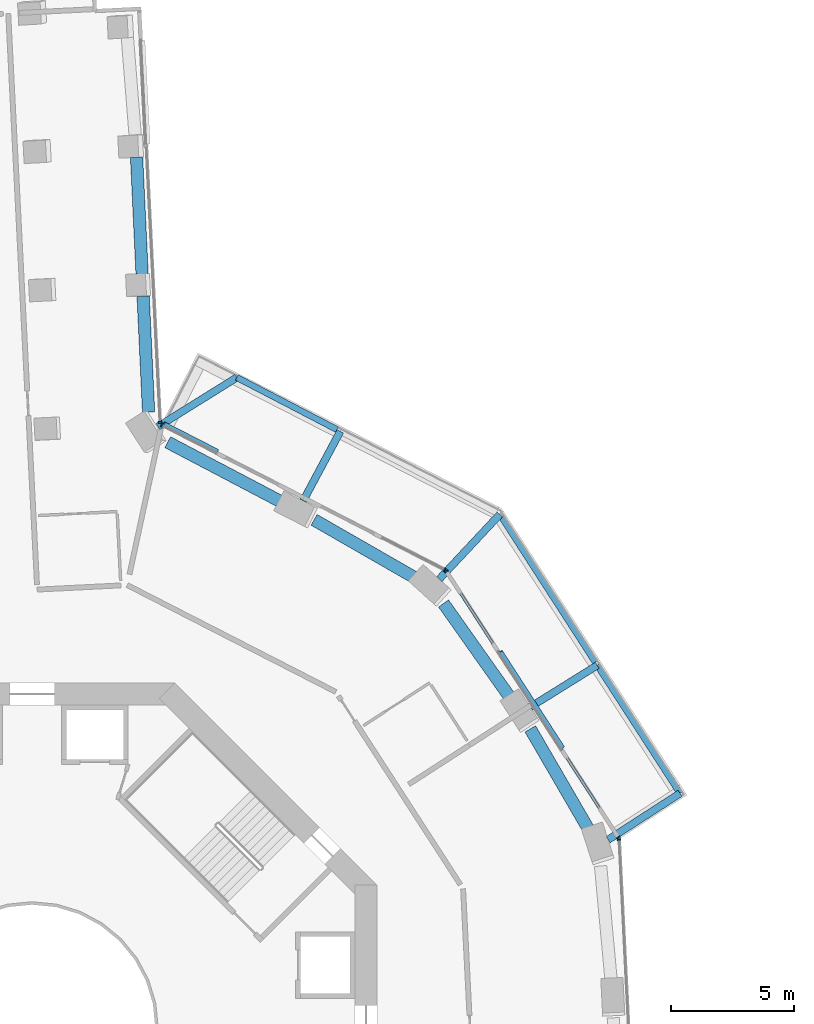
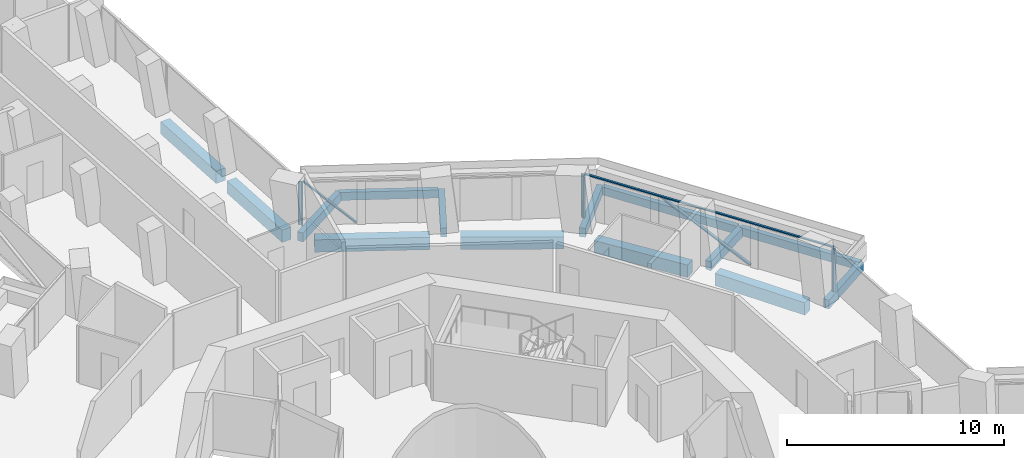
# One storey, part 9 of 25: 14 beams, 9 members, 4 elements without a shape of their own.
"""IFC4 building model written with IfcOpenShell, lengths in metres."""

from ifc_helpers import new_model, si_unit, direction, frame, origin, origin_2d, place, context, subcontext, project, spatial, rectangle, extrude, material, layer, layer_set, material_profile, profile_set, type_object, element, aggregate, save


model = new_model("IFC4")

# Units and contexts
model_context = context("Model", 3, precision=1e-05, world=origin(), true_north=direction((0.0, 1.0)))
body_context = subcontext(model_context, "Body", "Model", "MODEL_VIEW")
ifc_project = project(units=[si_unit("LENGTHUNIT", "METRE"), si_unit("AREAUNIT", "SQUARE_METRE"), si_unit("VOLUMEUNIT", "CUBIC_METRE"), si_unit("PLANEANGLEUNIT", "RADIAN"), si_unit("MASSUNIT", "GRAM", prefix="KILO")], contexts=[model_context])

# Site, building, storey
site_placement = place(None, origin())
site = spatial("IfcSite", under=ifc_project, at=site_placement, CompositionType="ELEMENT")
building_placement = place(site_placement, origin())
building = spatial("IfcBuilding", under=site, at=building_placement, Name="Verdalira Terraces Hotel", CompositionType="ELEMENT")
storey_placement = place(building_placement, frame((0.0, 0.0, 46.0)))
storey = spatial("IfcBuildingStorey", under=building, at=storey_placement, Name="L09", CompositionType="ELEMENT", Elevation=46.0)

# Beams
ifc_material_1 = material(Name="Concrete C40", Category="concrete")
ifc_material_profile_1 = material_profile(ifc_material_1, rectangle(XDim=0.300049, YDim=0.5, at=origin_2d()), Name="RC 300X500")
ifc_profile_set_1 = profile_set([ifc_material_profile_1], Name="Concrete C40")
beam_type_1 = type_object("IfcBeamType", Name="Balcony cantilever beam RC 300X500 C40", PredefinedType="BEAM", material=ifc_profile_set_1)
beam_1_placement = place(storey_placement, frame((23.388672, 7.63501, -0.560059), z_axis=(0.839811598, 0.54287796, 0.0), x_axis=(-0.54287796, 0.839811598, 0.0)))
element("IfcBeam", 1, at=beam_1_placement, inside=storey, type_object=beam_type_1, Name="Balcony cantilever beam R40-1", PredefinedType="BEAM", context=body_context, shape_type="SweptSolid", body=[
    extrude(rectangle(XDim=0.300049, YDim=0.5, at=origin_2d()), origin(), (0.0, 0.0, 1.0), 3.471436),
])
beam_2_placement = place(storey_placement, frame((20.227295, 13.024902, -0.560059), z_axis=(0.848785824, 0.52873682, 0.0), x_axis=(-0.52873682, 0.848785824, 0.0)))
element("IfcBeam", 2, at=beam_2_placement, inside=storey, type_object=beam_type_1, Name="Balcony cantilever beam R40-2", PredefinedType="BEAM", context=body_context, shape_type="SweptSolid", body=[
    extrude(rectangle(XDim=0.300049, YDim=0.5, at=origin_2d()), origin(), (0.0, 0.0, 1.0), 3.200684),
])
beam_3_placement = place(storey_placement, frame((16.531494, 18.218506, -0.560059), z_axis=(0.683062566, 0.730359864, 0.0), x_axis=(-0.730359864, 0.683062566, 0.0)))
element("IfcBeam", 3, at=beam_3_placement, inside=storey, type_object=beam_type_1, Name="Balcony cantilever beam R40-3", PredefinedType="BEAM", context=body_context, shape_type="SweptSolid", body=[
    extrude(rectangle(XDim=0.300049, YDim=0.5, at=origin_2d()), origin(), (0.0, 0.0, 1.0), 3.5979),
])
beam_4_placement = place(storey_placement, frame((11.004883, 21.393555, -0.560059), z_axis=(0.470703042, 0.882291701, 0.0), x_axis=(-0.882291701, 0.470703042, 0.0)))
element("IfcBeam", 4, at=beam_4_placement, inside=storey, type_object=beam_type_1, Name="Balcony cantilever beam R40-4", PredefinedType="BEAM", context=body_context, shape_type="SweptSolid", body=[
    extrude(rectangle(XDim=0.300049, YDim=0.5, at=origin_2d()), origin(), (0.0, 0.0, 1.0), 3.200684),
])
beam_5_placement = place(storey_placement, frame((5.108887, 24.408691, -0.560059), z_axis=(0.848761461, 0.528775929, 0.0), x_axis=(-0.528775929, 0.848761461, 0.0)))
element("IfcBeam", 5, at=beam_5_placement, inside=storey, type_object=beam_type_1, Name="Balcony cantilever beam R40-5", PredefinedType="BEAM", context=body_context, shape_type="SweptSolid", body=[
    extrude(rectangle(XDim=0.300049, YDim=0.5, at=origin_2d()), origin(), (0.0, 0.0, 1.0), 3.769775),
])
ifc_material_2 = material(Name="Concrete C40", Category="concrete")
ifc_material_profile_2 = material_profile(ifc_material_2, rectangle(XDim=0.25, YDim=0.449951, at=origin_2d()), Name="RC 250X450")
ifc_profile_set_2 = profile_set([ifc_material_profile_2], Name="Concrete C40")
beam_type_2 = type_object("IfcBeamType", Name="Balcony edge beam RC 250X450 C40", PredefinedType="BEAM", material=ifc_profile_set_2)
beam_6_placement = place(storey_placement, frame((26.303955, 9.519531, -0.534912), z_axis=(-0.542865221, 0.839819833, 0.0), x_axis=(-0.839819833, -0.542865221, 0.0)))
element("IfcBeam", 6, at=beam_6_placement, inside=storey, type_object=beam_type_2, Name="Balcony edge beam R40-1", PredefinedType="BEAM", context=body_context, shape_type="SweptSolid", body=[
    extrude(rectangle(XDim=0.25, YDim=0.449951, at=origin_2d()), origin(), (0.0, 0.0, 1.0), 6.189209),
])
beam_7_placement = place(storey_placement, frame((22.862793, 14.843262, -0.534912), z_axis=(-0.542200857, 0.84024891, 0.0), x_axis=(-0.84024891, -0.542200857, 0.0)))
element("IfcBeam", 7, at=beam_7_placement, inside=storey, type_object=beam_type_2, Name="Balcony edge beam R40-2", PredefinedType="BEAM", context=body_context, shape_type="SweptSolid", body=[
    extrude(rectangle(XDim=0.25, YDim=0.449951, at=origin_2d()), origin(), (0.0, 0.0, 1.0), 6.989746),
])
beam_8_placement = place(storey_placement, frame((12.378418, 24.286621, -0.534912), z_axis=(-0.887290865, 0.461210279, 0.0), x_axis=(-0.461210279, -0.887290865, 0.0)))
element("IfcBeam", 8, at=beam_8_placement, inside=storey, type_object=beam_type_2, Name="Balcony edge beam R40-4", PredefinedType="BEAM", context=body_context, shape_type="SweptSolid", body=[
    extrude(rectangle(XDim=0.25, YDim=0.449951, at=origin_2d()), origin(), (0.0, 0.0, 1.0), 4.586914),
])

# Curtain wall, member
ifc_material_3 = material(Name="Clear glass", Category="glass")
ifc_layer_1 = layer(ifc_material_3, 0.14990234375)
ifc_layer_set_1 = layer_set([ifc_layer_1], Name="CW1 curtain wall")
curtain_wall_type_1 = type_object("IfcCurtainWallType", Name="CW1 curtain wall", PredefinedType="NOTDEFINED", material=ifc_layer_set_1)
curtain_wall_1_placement = place(storey_placement, origin())
curtain_wall_1 = element("IfcCurtainWall", 9, at=curtain_wall_1_placement, inside=storey, type_object=curtain_wall_type_1, Name="CW1 curtain wall L09 edge 39", PredefinedType="NOTDEFINED")
ifc_material_4 = material(Name="Terracotta frame", Category="masonry")
ifc_material_profile_3 = material_profile(ifc_material_4, rectangle(XDim=0.060059, YDim=0.149902, at=origin_2d()), Name="MU 60x150")
ifc_profile_set_3 = profile_set([ifc_material_profile_3], Name="Terracotta frame")
member_type_1 = type_object("IfcMemberType", Name="CW1 mullion 60x150", PredefinedType="MULLION", material=ifc_profile_set_3)
member_1_placement = place(storey_placement, frame((23.829834, 7.636719, 0.0), z_axis=(0.0, 0.0, 1.0), x_axis=(-0.050244318, 0.998736957, 0.0)))
member_1 = element("IfcMember", 10, at=member_1_placement, type_object=member_type_1, Name="CW1 mullion", PredefinedType="MULLION", context=body_context, shape_type="SweptSolid", body=[
    extrude(rectangle(XDim=0.060059, YDim=0.149902, at=origin_2d()), origin(), (0.0, 0.0, 1.0), 2.425049),
])
aggregate(curtain_wall_1, [member_1])

# Curtain wall, members
curtain_wall_2_placement = place(storey_placement, origin())
curtain_wall_2 = element("IfcCurtainWall", 11, at=curtain_wall_2_placement, inside=storey, type_object=curtain_wall_type_1, Name="CW1 curtain wall L09 edge 40", PredefinedType="NOTDEFINED")
member_2_placement = place(storey_placement, frame((23.800049, 7.72876, 0.0), z_axis=(0.0, 0.0, 1.0), x_axis=(-0.542881334, 0.839809417, 0.0)))
member_2 = element("IfcMember", 12, at=member_2_placement, type_object=member_type_1, Name="CW1 mullion", PredefinedType="MULLION", context=body_context, shape_type="SweptSolid", body=[
    extrude(rectangle(XDim=0.060059, YDim=0.149902, at=origin_2d()), origin(), (0.0, 0.0, 1.0), 2.425049),
])
member_3_placement = place(storey_placement, frame((16.818848, 18.528564, 0.0), z_axis=(0.0, 0.0, 1.0), x_axis=(-0.542881334, 0.839809417, 0.0)))
member_3 = element("IfcMember", 13, at=member_3_placement, type_object=member_type_1, Name="CW1 mullion", PredefinedType="MULLION", context=body_context, shape_type="SweptSolid", body=[
    extrude(rectangle(XDim=0.060059, YDim=0.149902, at=origin_2d()), origin(), (0.0, 0.0, 1.0), 2.425049),
])

curtain_wall_3_placement = place(storey_placement, origin())
curtain_wall_3 = element("IfcCurtainWall", 14, at=curtain_wall_3_placement, inside=storey, type_object=curtain_wall_type_1, Name="CW1 curtain wall L09 edge 41", PredefinedType="NOTDEFINED")
member_4_placement = place(storey_placement, frame((16.74707, 18.593506, 0.0), z_axis=(0.0, 0.0, 1.0), x_axis=(-0.890053735, 0.455855622, 0.0)))
member_4 = element("IfcMember", 15, at=member_4_placement, type_object=member_type_1, Name="CW1 mullion", PredefinedType="MULLION", context=body_context, shape_type="SweptSolid", body=[
    extrude(rectangle(XDim=0.060059, YDim=0.149902, at=origin_2d()), origin(), (0.0, 0.0, 1.0), 2.425049),
])
member_5_placement = place(storey_placement, frame((5.265381, 24.473877, 0.0), z_axis=(0.0, 0.0, 1.0), x_axis=(-0.890053735, 0.455855622, 0.0)))
member_5 = element("IfcMember", 16, at=member_5_placement, type_object=member_type_1, Name="CW1 mullion", PredefinedType="MULLION", context=body_context, shape_type="SweptSolid", body=[
    extrude(rectangle(XDim=0.060059, YDim=0.149902, at=origin_2d()), origin(), (0.0, 0.0, 1.0), 2.425049),
])

# Member
ifc_material_5 = material(Name="Terracotta frame", Category="masonry")
ifc_material_profile_4 = material_profile(ifc_material_5, rectangle(XDim=0.110107, YDim=0.064941, at=origin_2d()), Name="TR 65x110")
ifc_profile_set_4 = profile_set([ifc_material_profile_4], Name="Terracotta frame")
member_type_2 = type_object("IfcMemberType", Name="CW1 transom 65x110", PredefinedType="USERDEFINED", material=ifc_profile_set_4)
member_6_placement = place(storey_placement, frame((23.816406, 7.703613, 2.45752), z_axis=(-0.542883754, 0.839807853, 0.0), x_axis=(-0.839807853, -0.542883754, 0.0)))
member_6 = element("IfcMember", 17, at=member_6_placement, type_object=member_type_2, Name="CW1 transom", ObjectType="TRANSOM", PredefinedType="USERDEFINED", context=body_context, shape_type="SweptSolid", body=[
    extrude(rectangle(XDim=0.110107, YDim=0.064941, at=origin_2d()), origin(), (0.0, 0.0, 1.0), 12.919678),
])

# Curtain wall, member
ifc_material_6 = material(Name="Clear glass", Category="glass")
ifc_layer_2 = layer(ifc_material_6, 0.14990234375)
ifc_layer_set_2 = layer_set([ifc_layer_2], Name="CW2 curtain wall")
curtain_wall_type_2 = type_object("IfcCurtainWallType", Name="CW2 curtain wall", PredefinedType="NOTDEFINED", material=ifc_layer_set_2)
curtain_wall_4_placement = place(storey_placement, origin())
curtain_wall_4 = element("IfcCurtainWall", 18, at=curtain_wall_4_placement, inside=storey, type_object=curtain_wall_type_2, Name="CW2 curtain wall L09 edge 0", PredefinedType="NOTDEFINED")
ifc_material_7 = material(Name="Terracotta frame", Category="masonry")
ifc_material_profile_5 = material_profile(ifc_material_7, rectangle(XDim=0.070068, YDim=0.149902, at=origin_2d()), Name="MU 70x150")
ifc_profile_set_5 = profile_set([ifc_material_profile_5], Name="Terracotta frame")
member_type_3 = type_object("IfcMemberType", Name="CW2 mullion 70x150", PredefinedType="MULLION", material=ifc_profile_set_5)
member_7_placement = place(storey_placement, frame((5.196289, 24.585449, 0.0), z_axis=(0.0, 0.0, 1.0), x_axis=(-0.050244318, 0.998736957, 0.0)))
member_7 = element("IfcMember", 19, at=member_7_placement, type_object=member_type_3, Name="CW2 mullion", PredefinedType="MULLION", context=body_context, shape_type="SweptSolid", body=[
    extrude(rectangle(XDim=0.070068, YDim=0.149902, at=origin_2d()), origin(), (0.0, 0.0, 1.0), 2.425049),
])
aggregate(curtain_wall_4, [member_7])

# Member
ifc_material_8 = material(Name="Terracotta frame", Category="masonry")
ifc_material_profile_6 = material_profile(ifc_material_8, rectangle(XDim=0.149902, YDim=0.060059, at=origin_2d()), Name="GB 60x150")
ifc_profile_set_6 = profile_set([ifc_material_profile_6], Name="Terracotta frame")
member_type_4 = type_object("IfcMemberType", Name="Diagonal glazing bar 60x150", PredefinedType="USERDEFINED", material=ifc_profile_set_6)
member_8_placement = place(storey_placement, frame((21.549561, 11.374023, 0.027588), z_axis=(-0.483679648, 0.748274539, 0.454025563), x_axis=(-0.839824989, -0.542857245, 0.0)))
member_8 = element("IfcMember", 20, at=member_8_placement, type_object=member_type_4, Name="Diagonal glazing bar", ObjectType="GLAZING BAR", PredefinedType="USERDEFINED", context=body_context, shape_type="SweptSolid", body=[
    extrude(rectangle(XDim=0.149902, YDim=0.060059, at=origin_2d()), origin(), (0.0, 0.0, 1.0), 5.219727),
])

aggregate(curtain_wall_2, [member_2, member_3, member_6, member_8])

member_9_placement = place(storey_placement, frame((7.518799, 23.419678, 0.022949), z_axis=(-0.636325856, 0.325947498, 0.699176397), x_axis=(-0.455903015, -0.890029461, 0.0)))
member_9 = element("IfcMember", 21, at=member_9_placement, type_object=member_type_4, Name="Diagonal glazing bar", ObjectType="GLAZING BAR", PredefinedType="USERDEFINED", context=body_context, shape_type="SweptSolid", body=[
    extrude(rectangle(XDim=0.149902, YDim=0.060059, at=origin_2d()), origin(), (0.0, 0.0, 1.0), 3.402832),
])

aggregate(curtain_wall_3, [member_4, member_5, member_9])

# Beams
ifc_material_9 = material(Name="Concrete C70", Category="concrete")
ifc_material_profile_7 = material_profile(ifc_material_9, rectangle(XDim=0.5, YDim=0.699951, at=origin_2d()), Name="RC 500X700")
ifc_profile_set_7 = profile_set([ifc_material_profile_7], Name="Concrete C70")
beam_type_3 = type_object("IfcBeamType", Name="Spandrel beam RC 500X700 C70", PredefinedType="SPANDREL", material=ifc_profile_set_7)
beam_9_placement = place(storey_placement, frame((4.728271, 24.992432, -0.659912), z_axis=(-0.047084719, 0.9988909, 0.0), x_axis=(-0.9988909, -0.047084719, 0.0)))
element("IfcBeam", 22, at=beam_9_placement, inside=storey, type_object=beam_type_3, Name="Spandrel beam B01", PredefinedType="SPANDREL", context=body_context, shape_type="SweptSolid", body=[
    extrude(rectangle(XDim=0.5, YDim=0.699951, at=origin_2d()), origin(), (0.0, 0.0, 1.0), 4.708008),
])
beam_10_placement = place(storey_placement, frame((4.463867, 30.60498, -0.659912), z_axis=(-0.047107235, 0.998889838, 0.0), x_axis=(-0.998889838, -0.047107235, 0.0)))
element("IfcBeam", 23, at=beam_10_placement, inside=storey, type_object=beam_type_3, Name="Spandrel beam B02", PredefinedType="SPANDREL", context=body_context, shape_type="SweptSolid", body=[
    extrude(rectangle(XDim=0.5, YDim=0.699951, at=origin_2d()), origin(), (0.0, 0.0, 1.0), 4.737061),
])
beam_11_placement = place(storey_placement, frame((22.614014, 8.020508, -0.659912), z_axis=(-0.502038979, 0.864844994, 0.0), x_axis=(-0.864844994, -0.502038979, 0.0)))
element("IfcBeam", 24, at=beam_11_placement, inside=storey, type_object=beam_type_3, Name="Spandrel beam B32", PredefinedType="SPANDREL", context=body_context, shape_type="SweptSolid", body=[
    extrude(rectangle(XDim=0.5, YDim=0.699951, at=origin_2d()), origin(), (0.0, 0.0, 1.0), 4.759033),
])
beam_12_placement = place(storey_placement, frame((19.447998, 13.345703, -0.659912), z_axis=(-0.577356216, 0.816492376, 0.0), x_axis=(-0.816492376, -0.577356216, 0.0)))
element("IfcBeam", 25, at=beam_12_placement, inside=storey, type_object=beam_type_3, Name="Spandrel beam B33", PredefinedType="SPANDREL", context=body_context, shape_type="SweptSolid", body=[
    extrude(rectangle(XDim=0.5, YDim=0.699951, at=origin_2d()), origin(), (0.0, 0.0, 1.0), 4.755371),
])
beam_13_placement = place(storey_placement, frame((15.573975, 18.25293, -0.659912), z_axis=(-0.86718992, 0.497977553, 0.0), x_axis=(-0.497977553, -0.86718992, 0.0)))
element("IfcBeam", 26, at=beam_13_placement, inside=storey, type_object=beam_type_3, Name="Spandrel beam B34", PredefinedType="SPANDREL", context=body_context, shape_type="SweptSolid", body=[
    extrude(rectangle(XDim=0.5, YDim=0.699951, at=origin_2d()), origin(), (0.0, 0.0, 1.0), 4.759033),
])
beam_14_placement = place(storey_placement, frame((10.205811, 21.304932, -0.659912), z_axis=(-0.885228079, 0.465157229, 0.0), x_axis=(-0.465157229, -0.885228079, 0.0)))
element("IfcBeam", 27, at=beam_14_placement, inside=storey, type_object=beam_type_3, Name="Spandrel beam B35", PredefinedType="SPANDREL", context=body_context, shape_type="SweptSolid", body=[
    extrude(rectangle(XDim=0.5, YDim=0.699951, at=origin_2d()), origin(), (0.0, 0.0, 1.0), 5.312012),
])

save(model, "model.ifc")
